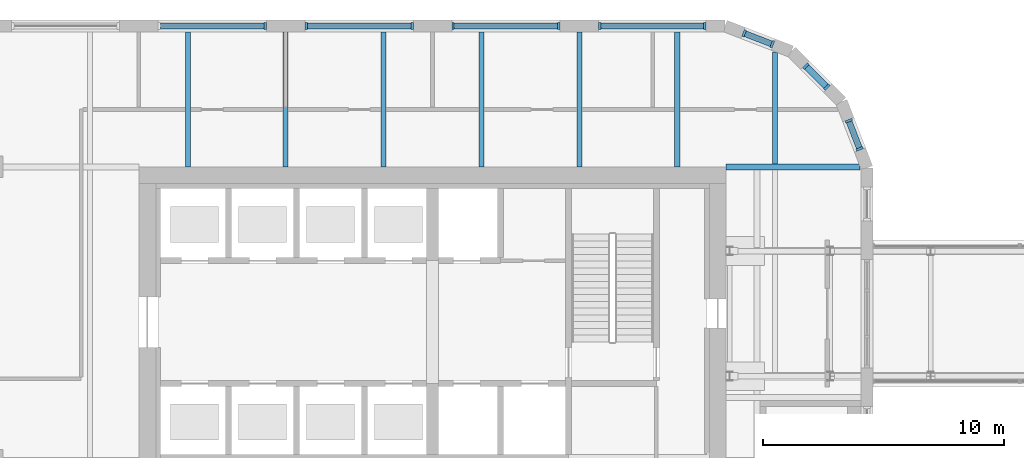
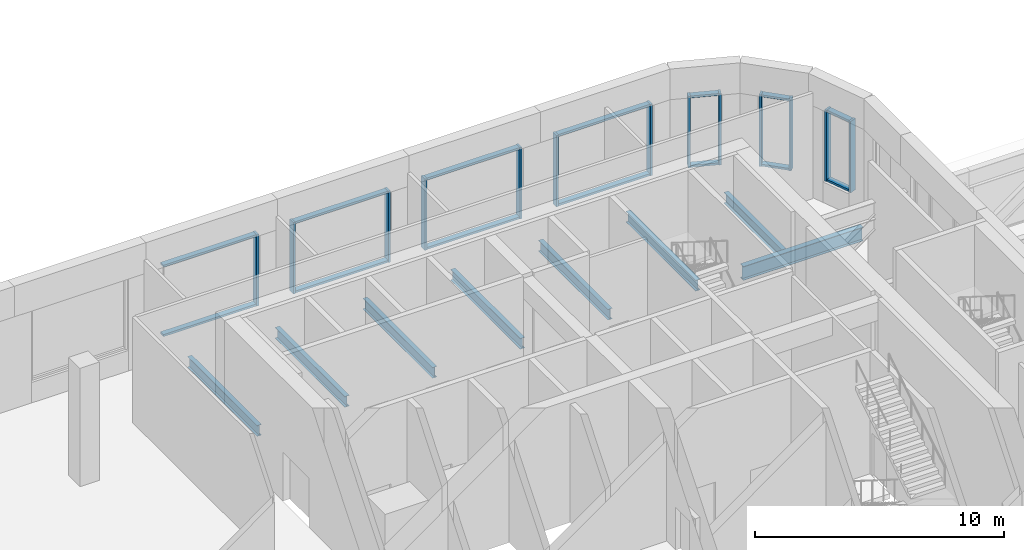
# One storey, part 7 of 36: 27 members, 8 beams, 7 elements without a shape of their own.
"""IFC4 building model written with IfcOpenShell, lengths in metres."""

from ifc_helpers import new_model, si_unit, direction, frame, origin, origin_2d, place, context, subcontext, project, spatial, rectangle, i_section, extrude, material, material_profile, profile_set, type_object, element, aggregate, save


model = new_model("IFC4")

# Units and contexts
model_context = context("Model", 3, precision=1e-05, world=origin(), true_north=direction((0.0, 1.0)))
body_context = subcontext(model_context, "Body", "Model", "MODEL_VIEW")
ifc_project = project(units=[si_unit("LENGTHUNIT", "METRE"), si_unit("AREAUNIT", "SQUARE_METRE"), si_unit("VOLUMEUNIT", "CUBIC_METRE"), si_unit("PLANEANGLEUNIT", "RADIAN"), si_unit("MASSUNIT", "GRAM", prefix="KILO")], contexts=[model_context])

# Site, building, storey
site_placement = place(None, origin())
site = spatial("IfcSite", under=ifc_project, at=site_placement, CompositionType="ELEMENT")
building_placement = place(site_placement, origin())
building = spatial("IfcBuilding", under=site, at=building_placement, Name="Tessera Gate Towers", CompositionType="ELEMENT")
storey_placement = place(building_placement, frame((0.0, 0.0, 106.60009765625)))
storey = spatial("IfcBuildingStorey", under=building, at=storey_placement, Name="L26", CompositionType="ELEMENT", Elevation=106.60009765625)

# Beams
ifc_material_1 = material(Name="Steel 350W", Category="steel")
ifc_material_profile_1 = material_profile(ifc_material_1, i_section(OverallWidth=0.2529296875, OverallDepth=0.677978515625, WebThickness=0.01171875, FlangeThickness=0.016357421875, at=origin_2d()), Name="W690x125")
ifc_profile_set_1 = profile_set([ifc_material_profile_1], Name="Steel 350W")
beam_type_1 = type_object("IfcBeamType", Name="FLOOR GIRDER W690x125", PredefinedType="BEAM", material=ifc_profile_set_1)
beam_1_placement = place(storey_placement, frame((54.90087890625, 48.800048828125, -0.589111328125), z_axis=(1.0, 0.0, 0.0), x_axis=(0.0, 1.0, 0.0)))
element("IfcBeam", 1, at=beam_1_placement, inside=storey, type_object=beam_type_1, Name="T1-GD-L26-3415", PredefinedType="BEAM", context=body_context, shape_type="SweptSolid", body=[
    extrude(i_section(OverallWidth=0.2529296875, OverallDepth=0.677978515625, WebThickness=0.01171875, FlangeThickness=0.016357421875, at=origin_2d()), origin(), (0.0, 0.0, 1.0), 5.564208984375),
])
ifc_material_2 = material(Name="Steel 350W", Category="steel")
ifc_material_profile_2 = material_profile(ifc_material_2, i_section(OverallWidth=0.208984375, OverallDepth=0.528076171875, WebThickness=0.009521484375, FlangeThickness=0.01318359375, at=origin_2d()), Name="W530x82")
ifc_profile_set_2 = profile_set([ifc_material_profile_2], Name="Steel 350W")
beam_type_2 = type_object("IfcBeamType", Name="FLOOR SECONDARY W530x82", PredefinedType="BEAM", material=ifc_profile_set_2)
for number, where, z_axis, x_axis, name in (
    (2, (32.533203125, 48.800048828125, -0.51416015625), (0.0, 1.0, 0.0), (-1.0, 0.0, 0.0), "T1-BM-L26-3458"),
    (3, (36.60009765625, 48.800048828125, -0.51416015625), (0.0, 1.0, 0.0), (-1.0, 0.0, 0.0), "T1-BM-L26-3459"),
    (4, (40.666748046875, 48.800048828125, -0.51416015625), (0.0, 1.0, 0.0), (-1.0, 0.0, 0.0), "T1-BM-L26-3462"),
    (5, (44.7333984375, 48.800048828125, -0.51416015625), (0.0, 1.0, 0.0), (-1.0, 0.0, 0.0), "T1-BM-L26-3465"),
    (6, (48.800048828125, 48.800048828125, -0.51416015625), (0.0, 1.0, 0.0), (-1.0, 0.0, 0.0), "T1-BM-L26-3466"),
    (7, (52.86669921875, 48.800048828125, -0.51416015625), (0.0, 1.0, 0.0), (-1.0, 0.0, 0.0), "T1-BM-L26-3470"),
):
    element("IfcBeam", number, at=place(storey_placement, frame(where, z_axis=z_axis, x_axis=x_axis)), inside=storey, type_object=beam_type_2, Name=name, PredefinedType="BEAM", context=body_context, shape_type="SweptSolid", body=[
        extrude(i_section(OverallWidth=0.208984375, OverallDepth=0.528076171875, WebThickness=0.009521484375, FlangeThickness=0.01318359375, at=origin_2d()), origin(), (0.0, 0.0, 1.0), 5.599853515625),
    ])
beam_2_placement = place(storey_placement, frame((56.933349609375, 48.926513671875, -0.51416015625), z_axis=(0.0, 1.0, 0.0), x_axis=(-1.0, 0.0, 0.0)))
element("IfcBeam", 8, at=beam_2_placement, inside=storey, type_object=beam_type_2, Name="T1-BM-L26-3476", PredefinedType="BEAM", context=body_context, shape_type="SweptSolid", body=[
    extrude(i_section(OverallWidth=0.208984375, OverallDepth=0.528076171875, WebThickness=0.009521484375, FlangeThickness=0.01318359375, at=origin_2d()), origin(), (0.0, 0.0, 1.0), 4.653076171875),
])

# Curtain wall, members
ifc_material_3 = material(Name="Aluminium frame", Category="aluminium")
curtain_wall_type = type_object("IfcCurtainWallType", Name="CW-S3 amenity floor glazing", PredefinedType="NOTDEFINED", material=ifc_material_3)
curtain_wall_1_placement = place(storey_placement, origin())
curtain_wall_1 = element("IfcCurtainWall", 9, at=curtain_wall_1_placement, inside=storey, type_object=curtain_wall_type, Name="Curtain wall amenity floor glazing 0015", PredefinedType="NOTDEFINED")
ifc_material_4 = material(Name="Aluminium frame", Category="aluminium")
ifc_material_profile_3 = material_profile(ifc_material_4, rectangle(XDim=0.10009765625, YDim=0.300048828125, at=origin_2d()), Name="AL 100x300")
ifc_profile_set_3 = profile_set([ifc_material_profile_3], Name="Aluminium frame")
member_type_1 = type_object("IfcMemberType", Name="MU-S3 mullion 100x300", PredefinedType="MULLION", material=ifc_profile_set_3)
member_1_placement = place(storey_placement, frame((60.444091796875, 49.54638671875, 1.0), z_axis=(0.0, 0.0, 1.0), x_axis=(-0.359904070394, 0.932989314041, 0.0)))
member_1 = element("IfcMember", 10, at=member_1_placement, type_object=member_type_1, Name="T1-CW3-0015 mullion 1", PredefinedType="MULLION", context=body_context, shape_type="SweptSolid", body=[
    extrude(rectangle(XDim=0.10009765625, YDim=0.300048828125, at=origin_2d()), origin(), (0.0, 0.0, 1.0), 3.5),
])
member_2_placement = place(storey_placement, frame((59.993896484375, 50.713134765625, 1.0), z_axis=(0.0, 0.0, 1.0), x_axis=(-0.359904070394, 0.932989314041, 0.0)))
member_2 = element("IfcMember", 11, at=member_2_placement, type_object=member_type_1, Name="T1-CW3-0015 mullion 2", PredefinedType="MULLION", context=body_context, shape_type="SweptSolid", body=[
    extrude(rectangle(XDim=0.10009765625, YDim=0.300048828125, at=origin_2d()), origin(), (0.0, 0.0, 1.0), 3.5),
])

curtain_wall_2_placement = place(storey_placement, origin())
curtain_wall_2 = element("IfcCurtainWall", 12, at=curtain_wall_2_placement, inside=storey, type_object=curtain_wall_type, Name="Curtain wall amenity floor glazing 0016", PredefinedType="NOTDEFINED")
member_3_placement = place(storey_placement, frame((59.087158203125, 52.107421875, 1.0), z_axis=(0.0, 0.0, 1.0), x_axis=(-0.707106781187, 0.707106781187, 0.0)))
member_3 = element("IfcMember", 13, at=member_3_placement, type_object=member_type_1, Name="T1-CW3-0016 mullion 1", PredefinedType="MULLION", context=body_context, shape_type="SweptSolid", body=[
    extrude(rectangle(XDim=0.10009765625, YDim=0.300048828125, at=origin_2d()), origin(), (0.0, 0.0, 1.0), 3.5),
])
member_4_placement = place(storey_placement, frame((58.207275390625, 52.987060546875, 1.0), z_axis=(0.0, 0.0, 1.0), x_axis=(-0.707106781187, 0.707106781187, 0.0)))
member_4 = element("IfcMember", 14, at=member_4_placement, type_object=member_type_1, Name="T1-CW3-0016 mullion 2", PredefinedType="MULLION", context=body_context, shape_type="SweptSolid", body=[
    extrude(rectangle(XDim=0.10009765625, YDim=0.300048828125, at=origin_2d()), origin(), (0.0, 0.0, 1.0), 3.5),
])

curtain_wall_3_placement = place(storey_placement, origin())
curtain_wall_3 = element("IfcCurtainWall", 15, at=curtain_wall_3_placement, inside=storey, type_object=curtain_wall_type, Name="Curtain wall amenity floor glazing 0017", PredefinedType="NOTDEFINED")
member_5_placement = place(storey_placement, frame((56.813232421875, 53.89404296875, 1.0), z_axis=(0.0, 0.0, 1.0), x_axis=(-0.932989314041, 0.359904070394, 0.0)))
member_5 = element("IfcMember", 16, at=member_5_placement, type_object=member_type_1, Name="T1-CW3-0017 mullion 1", PredefinedType="MULLION", context=body_context, shape_type="SweptSolid", body=[
    extrude(rectangle(XDim=0.10009765625, YDim=0.300048828125, at=origin_2d()), origin(), (0.0, 0.0, 1.0), 3.5),
])
member_6_placement = place(storey_placement, frame((55.646484375, 54.343994140625, 1.0), z_axis=(0.0, 0.0, 1.0), x_axis=(-0.932989314041, 0.359904070394, 0.0)))
member_6 = element("IfcMember", 17, at=member_6_placement, type_object=member_type_1, Name="T1-CW3-0017 mullion 2", PredefinedType="MULLION", context=body_context, shape_type="SweptSolid", body=[
    extrude(rectangle(XDim=0.10009765625, YDim=0.300048828125, at=origin_2d()), origin(), (0.0, 0.0, 1.0), 3.5),
])

curtain_wall_4_placement = place(storey_placement, origin())
curtain_wall_4 = element("IfcCurtainWall", 18, at=curtain_wall_4_placement, inside=storey, type_object=curtain_wall_type, Name="Curtain wall amenity floor glazing 0018", PredefinedType="NOTDEFINED")
member_7_placement = place(storey_placement, frame((54.00341796875, 54.64990234375, 1.0), z_axis=(0.0, 0.0, 1.0), x_axis=(-1.0, 0.0, 0.0)))
member_7 = element("IfcMember", 19, at=member_7_placement, type_object=member_type_1, Name="T1-CW3-0018 mullion 1", PredefinedType="MULLION", context=body_context, shape_type="SweptSolid", body=[
    extrude(rectangle(XDim=0.10009765625, YDim=0.300048828125, at=origin_2d()), origin(), (0.0, 0.0, 1.0), 3.5),
])
member_8_placement = place(storey_placement, frame((49.64990234375, 54.64990234375, 1.0), z_axis=(0.0, 0.0, 1.0), x_axis=(-1.0, 0.0, 0.0)))
member_8 = element("IfcMember", 20, at=member_8_placement, type_object=member_type_1, Name="T1-CW3-0018 mullion 2", PredefinedType="MULLION", context=body_context, shape_type="SweptSolid", body=[
    extrude(rectangle(XDim=0.10009765625, YDim=0.300048828125, at=origin_2d()), origin(), (0.0, 0.0, 1.0), 3.5),
])

curtain_wall_5_placement = place(storey_placement, origin())
curtain_wall_5 = element("IfcCurtainWall", 21, at=curtain_wall_5_placement, inside=storey, type_object=curtain_wall_type, Name="Curtain wall amenity floor glazing 0019", PredefinedType="NOTDEFINED")
member_9_placement = place(storey_placement, frame((47.949951171875, 54.64990234375, 1.0), z_axis=(0.0, 0.0, 1.0), x_axis=(-1.0, 0.0, 0.0)))
member_9 = element("IfcMember", 22, at=member_9_placement, type_object=member_type_1, Name="T1-CW3-0019 mullion 1", PredefinedType="MULLION", context=body_context, shape_type="SweptSolid", body=[
    extrude(rectangle(XDim=0.10009765625, YDim=0.300048828125, at=origin_2d()), origin(), (0.0, 0.0, 1.0), 3.5),
])
member_10_placement = place(storey_placement, frame((43.550048828125, 54.64990234375, 1.0), z_axis=(0.0, 0.0, 1.0), x_axis=(-1.0, 0.0, 0.0)))
member_10 = element("IfcMember", 23, at=member_10_placement, type_object=member_type_1, Name="T1-CW3-0019 mullion 2", PredefinedType="MULLION", context=body_context, shape_type="SweptSolid", body=[
    extrude(rectangle(XDim=0.10009765625, YDim=0.300048828125, at=origin_2d()), origin(), (0.0, 0.0, 1.0), 3.5),
])

curtain_wall_6_placement = place(storey_placement, origin())
curtain_wall_6 = element("IfcCurtainWall", 24, at=curtain_wall_6_placement, inside=storey, type_object=curtain_wall_type, Name="Curtain wall amenity floor glazing 0020", PredefinedType="NOTDEFINED")
member_11_placement = place(storey_placement, frame((41.85009765625, 54.64990234375, 1.0), z_axis=(0.0, 0.0, 1.0), x_axis=(-1.0, 0.0, 0.0)))
member_11 = element("IfcMember", 25, at=member_11_placement, type_object=member_type_1, Name="T1-CW3-0020 mullion 1", PredefinedType="MULLION", context=body_context, shape_type="SweptSolid", body=[
    extrude(rectangle(XDim=0.10009765625, YDim=0.300048828125, at=origin_2d()), origin(), (0.0, 0.0, 1.0), 3.5),
])
member_12_placement = place(storey_placement, frame((37.449951171875, 54.64990234375, 1.0), z_axis=(0.0, 0.0, 1.0), x_axis=(-1.0, 0.0, 0.0)))
member_12 = element("IfcMember", 26, at=member_12_placement, type_object=member_type_1, Name="T1-CW3-0020 mullion 2", PredefinedType="MULLION", context=body_context, shape_type="SweptSolid", body=[
    extrude(rectangle(XDim=0.10009765625, YDim=0.300048828125, at=origin_2d()), origin(), (0.0, 0.0, 1.0), 3.5),
])

# Curtain wall, member
curtain_wall_7_placement = place(storey_placement, origin())
curtain_wall_7 = element("IfcCurtainWall", 27, at=curtain_wall_7_placement, inside=storey, type_object=curtain_wall_type, Name="Curtain wall amenity floor glazing 0021", PredefinedType="NOTDEFINED")
member_13_placement = place(storey_placement, frame((35.75, 54.64990234375, 1.0), z_axis=(0.0, 0.0, 1.0), x_axis=(-1.0, 0.0, 0.0)))
member_13 = element("IfcMember", 28, at=member_13_placement, type_object=member_type_1, Name="T1-CW3-0021 mullion 1", PredefinedType="MULLION", context=body_context, shape_type="SweptSolid", body=[
    extrude(rectangle(XDim=0.10009765625, YDim=0.300048828125, at=origin_2d()), origin(), (0.0, 0.0, 1.0), 3.5),
])

# Member
ifc_material_5 = material(Name="Aluminium frame", Category="aluminium")
ifc_material_profile_4 = material_profile(ifc_material_5, rectangle(XDim=0.25, YDim=0.10009765625, at=origin_2d()), Name="AL 100x250")
ifc_profile_set_4 = profile_set([ifc_material_profile_4], Name="Aluminium frame")
member_type_2 = type_object("IfcMemberType", Name="TR-S3 transom 100x250", PredefinedType="USERDEFINED", material=ifc_profile_set_4)
member_14_placement = place(storey_placement, frame((60.426025390625, 49.59326171875, 1.0498046875), z_axis=(-0.35994596571, 0.932973151687, 0.0), x_axis=(-0.932973151687, -0.35994596571, 0.0)))
member_14 = element("IfcMember", 29, at=member_14_placement, type_object=member_type_2, Name="T1-CW3-0015 transom 1.1", ObjectType="TRANSOM", PredefinedType="USERDEFINED", context=body_context, shape_type="SweptSolid", body=[
    extrude(rectangle(XDim=0.25, YDim=0.10009765625, at=origin_2d()), origin(), (0.0, 0.0, 1.0), 1.150390625),
])

member_15_placement = place(storey_placement, frame((60.426025390625, 49.59326171875, 4.449951171875), z_axis=(-0.35994596571, 0.932973151687, 0.0), x_axis=(-0.932973151687, -0.35994596571, 0.0)))
member_15 = element("IfcMember", 30, at=member_15_placement, type_object=member_type_2, Name="T1-CW3-0015 transom 1.2", ObjectType="TRANSOM", PredefinedType="USERDEFINED", context=body_context, shape_type="SweptSolid", body=[
    extrude(rectangle(XDim=0.25, YDim=0.10009765625, at=origin_2d()), origin(), (0.0, 0.0, 1.0), 1.150390625),
])

aggregate(curtain_wall_1, [member_1, member_2, member_14, member_15])

member_16_placement = place(storey_placement, frame((59.0517578125, 52.142578125, 1.0498046875), z_axis=(-0.707106781187, 0.707106781187, 0.0), x_axis=(-0.707106781187, -0.707106781187, 0.0)))
member_16 = element("IfcMember", 31, at=member_16_placement, type_object=member_type_2, Name="T1-CW3-0016 transom 1.1", ObjectType="TRANSOM", PredefinedType="USERDEFINED", context=body_context, shape_type="SweptSolid", body=[
    extrude(rectangle(XDim=0.25, YDim=0.10009765625, at=origin_2d()), origin(), (0.0, 0.0, 1.0), 1.144287109375),
])

member_17_placement = place(storey_placement, frame((59.0517578125, 52.142578125, 4.449951171875), z_axis=(-0.707106781187, 0.707106781187, 0.0), x_axis=(-0.707106781187, -0.707106781187, 0.0)))
member_17 = element("IfcMember", 32, at=member_17_placement, type_object=member_type_2, Name="T1-CW3-0016 transom 1.2", ObjectType="TRANSOM", PredefinedType="USERDEFINED", context=body_context, shape_type="SweptSolid", body=[
    extrude(rectangle(XDim=0.25, YDim=0.10009765625, at=origin_2d()), origin(), (0.0, 0.0, 1.0), 1.144287109375),
])

aggregate(curtain_wall_2, [member_3, member_4, member_16, member_17])

member_18_placement = place(storey_placement, frame((56.7666015625, 53.912109375, 1.0498046875), z_axis=(-0.933000640571, 0.359874706938, 0.0), x_axis=(-0.359874706938, -0.933000640571, 0.0)))
member_18 = element("IfcMember", 33, at=member_18_placement, type_object=member_type_2, Name="T1-CW3-0017 transom 1.1", ObjectType="TRANSOM", PredefinedType="USERDEFINED", context=body_context, shape_type="SweptSolid", body=[
    extrude(rectangle(XDim=0.25, YDim=0.10009765625, at=origin_2d()), origin(), (0.0, 0.0, 1.0), 1.150634765625),
])

member_19_placement = place(storey_placement, frame((56.7666015625, 53.912109375, 4.449951171875), z_axis=(-0.933000640571, 0.359874706938, 0.0), x_axis=(-0.359874706938, -0.933000640571, 0.0)))
member_19 = element("IfcMember", 34, at=member_19_placement, type_object=member_type_2, Name="T1-CW3-0017 transom 1.2", ObjectType="TRANSOM", PredefinedType="USERDEFINED", context=body_context, shape_type="SweptSolid", body=[
    extrude(rectangle(XDim=0.25, YDim=0.10009765625, at=origin_2d()), origin(), (0.0, 0.0, 1.0), 1.150634765625),
])

aggregate(curtain_wall_3, [member_5, member_6, member_18, member_19])

member_20_placement = place(storey_placement, frame((53.953369140625, 54.64990234375, 1.0498046875), z_axis=(-1.0, 0.0, 0.0), x_axis=(0.0, -1.0, 0.0)))
member_20 = element("IfcMember", 35, at=member_20_placement, type_object=member_type_2, Name="T1-CW3-0018 transom 1.1", ObjectType="TRANSOM", PredefinedType="USERDEFINED", context=body_context, shape_type="SweptSolid", body=[
    extrude(rectangle(XDim=0.25, YDim=0.10009765625, at=origin_2d()), origin(), (0.0, 0.0, 1.0), 4.25341796875),
])

member_21_placement = place(storey_placement, frame((53.953369140625, 54.64990234375, 4.449951171875), z_axis=(-1.0, 0.0, 0.0), x_axis=(0.0, -1.0, 0.0)))
member_21 = element("IfcMember", 36, at=member_21_placement, type_object=member_type_2, Name="T1-CW3-0018 transom 1.2", ObjectType="TRANSOM", PredefinedType="USERDEFINED", context=body_context, shape_type="SweptSolid", body=[
    extrude(rectangle(XDim=0.25, YDim=0.10009765625, at=origin_2d()), origin(), (0.0, 0.0, 1.0), 4.25341796875),
])

aggregate(curtain_wall_4, [member_7, member_8, member_20, member_21])

member_22_placement = place(storey_placement, frame((47.89990234375, 54.64990234375, 1.0498046875), z_axis=(-1.0, 0.0, 0.0), x_axis=(0.0, -1.0, 0.0)))
member_22 = element("IfcMember", 37, at=member_22_placement, type_object=member_type_2, Name="T1-CW3-0019 transom 1.1", ObjectType="TRANSOM", PredefinedType="USERDEFINED", context=body_context, shape_type="SweptSolid", body=[
    extrude(rectangle(XDim=0.25, YDim=0.10009765625, at=origin_2d()), origin(), (0.0, 0.0, 1.0), 4.2998046875),
])

member_23_placement = place(storey_placement, frame((47.89990234375, 54.64990234375, 4.449951171875), z_axis=(-1.0, 0.0, 0.0), x_axis=(0.0, -1.0, 0.0)))
member_23 = element("IfcMember", 38, at=member_23_placement, type_object=member_type_2, Name="T1-CW3-0019 transom 1.2", ObjectType="TRANSOM", PredefinedType="USERDEFINED", context=body_context, shape_type="SweptSolid", body=[
    extrude(rectangle(XDim=0.25, YDim=0.10009765625, at=origin_2d()), origin(), (0.0, 0.0, 1.0), 4.2998046875),
])

aggregate(curtain_wall_5, [member_9, member_10, member_22, member_23])

member_24_placement = place(storey_placement, frame((41.800048828125, 54.64990234375, 1.0498046875), z_axis=(-1.0, 0.0, 0.0), x_axis=(0.0, -1.0, 0.0)))
member_24 = element("IfcMember", 39, at=member_24_placement, type_object=member_type_2, Name="T1-CW3-0020 transom 1.1", ObjectType="TRANSOM", PredefinedType="USERDEFINED", context=body_context, shape_type="SweptSolid", body=[
    extrude(rectangle(XDim=0.25, YDim=0.10009765625, at=origin_2d()), origin(), (0.0, 0.0, 1.0), 4.300048828125),
])

member_25_placement = place(storey_placement, frame((41.800048828125, 54.64990234375, 4.449951171875), z_axis=(-1.0, 0.0, 0.0), x_axis=(0.0, -1.0, 0.0)))
member_25 = element("IfcMember", 40, at=member_25_placement, type_object=member_type_2, Name="T1-CW3-0020 transom 1.2", ObjectType="TRANSOM", PredefinedType="USERDEFINED", context=body_context, shape_type="SweptSolid", body=[
    extrude(rectangle(XDim=0.25, YDim=0.10009765625, at=origin_2d()), origin(), (0.0, 0.0, 1.0), 4.300048828125),
])

aggregate(curtain_wall_6, [member_11, member_12, member_24, member_25])

member_26_placement = place(storey_placement, frame((35.699951171875, 54.64990234375, 1.0498046875), z_axis=(-1.0, 0.0, 0.0), x_axis=(0.0, -1.0, 0.0)))
member_26 = element("IfcMember", 41, at=member_26_placement, type_object=member_type_2, Name="T1-CW3-0021 transom 1.1", ObjectType="TRANSOM", PredefinedType="USERDEFINED", context=body_context, shape_type="SweptSolid", body=[
    extrude(rectangle(XDim=0.25, YDim=0.10009765625, at=origin_2d()), origin(), (0.0, 0.0, 1.0), 4.300048828125),
])

member_27_placement = place(storey_placement, frame((35.699951171875, 54.64990234375, 4.449951171875), z_axis=(-1.0, 0.0, 0.0), x_axis=(0.0, -1.0, 0.0)))
member_27 = element("IfcMember", 42, at=member_27_placement, type_object=member_type_2, Name="T1-CW3-0021 transom 1.2", ObjectType="TRANSOM", PredefinedType="USERDEFINED", context=body_context, shape_type="SweptSolid", body=[
    extrude(rectangle(XDim=0.25, YDim=0.10009765625, at=origin_2d()), origin(), (0.0, 0.0, 1.0), 4.300048828125),
])

aggregate(curtain_wall_7, [member_13, member_26, member_27])

save(model, "model.ifc")
